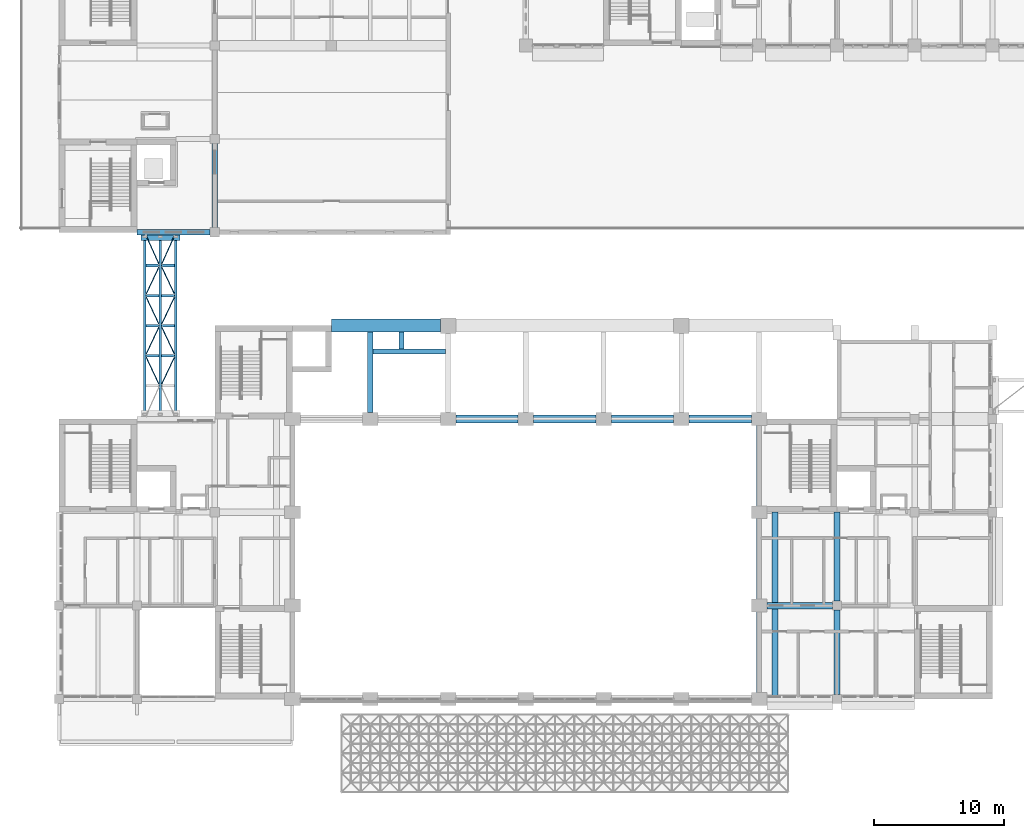
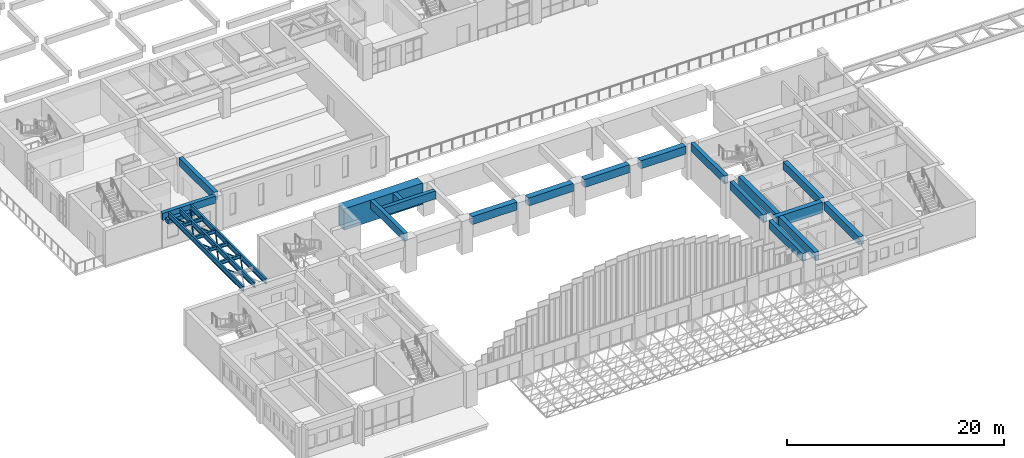
# One storey, part 20 of 103: 30 beams, 10 members.
"""IFC4 building model written with IfcOpenShell, lengths in metres."""

from ifc_helpers import new_model, si_unit, direction, frame, origin, origin_2d, place, context, subcontext, project, spatial, rectangle, hollow_circle, i_section, extrude, material, material_profile, profile_set, type_object, element, save


model = new_model("IFC4")

# Units and contexts
model_context = context("Model", 3, precision=1e-05, world=origin(), true_north=direction((0.0, 1.0)))
body_context = subcontext(model_context, "Body", "Model", "MODEL_VIEW")
ifc_project = project(units=[si_unit("LENGTHUNIT", "METRE"), si_unit("AREAUNIT", "SQUARE_METRE"), si_unit("VOLUMEUNIT", "CUBIC_METRE"), si_unit("PLANEANGLEUNIT", "RADIAN"), si_unit("MASSUNIT", "GRAM", prefix="KILO")], contexts=[model_context])

# Site, building, storey
site_placement = place(None, origin())
site = spatial("IfcSite", under=ifc_project, at=site_placement, CompositionType="ELEMENT")
building_placement = place(site_placement, origin())
building = spatial("IfcBuilding", under=site, at=building_placement, Name="Laocheng Heights Fire and Rescue Headquarters", CompositionType="ELEMENT")
storey_placement = place(building_placement, frame((0.0, 0.0, 4.199951171875)))
storey = spatial("IfcBuildingStorey", under=building, at=storey_placement, Name="L01", CompositionType="ELEMENT", Elevation=4.199951171875)

# Beams
ifc_material_1 = material(Name="Concrete C60", Category="concrete")
ifc_material_profile_1 = material_profile(ifc_material_1, rectangle(XDim=1.0, YDim=2.39990234375, at=origin_2d()), Name="RC BEAM 1000x2400 TRANSFER GIRDER")
ifc_profile_set_1 = profile_set([ifc_material_profile_1], Name="Concrete C60")
beam_type_1 = type_object("IfcBeamType", Name="RC BEAM 1000x2400 TRANSFER GIRDER", PredefinedType="BEAM", material=ifc_profile_set_1)
beam_1_placement = place(storey_placement, frame((21.0, 28.800048828125, 2.550048828125), z_axis=(1.0, 0.0, 0.0), x_axis=(0.0, 1.0, 0.0)))
element("IfcBeam", 1, at=beam_1_placement, inside=storey, type_object=beam_type_1, Name="Transfer girder TG1", PredefinedType="BEAM", context=body_context, shape_type="SweptSolid", body=[
    extrude(rectangle(XDim=1.0, YDim=2.39990234375, at=origin_2d()), origin(), (0.0, 0.0, 1.0), 8.39990234375),
])
ifc_material_2 = material(Name="Concrete C40", Category="concrete")
ifc_material_profile_2 = material_profile(ifc_material_2, rectangle(XDim=0.39990234375, YDim=0.800048828125, at=origin_2d()), Name="RC BEAM 400x800 FOYER")
ifc_profile_set_2 = profile_set([ifc_material_profile_2], Name="Concrete C40")
beam_type_2 = type_object("IfcBeamType", Name="RC BEAM 400x800 FOYER", PredefinedType="BEAM", material=ifc_profile_set_2)
beam_2_placement = place(storey_placement, frame((6.0, 36.0, 3.550048828125), z_axis=(1.0, 0.0, 0.0), x_axis=(0.0, 1.0, 0.0)))
element("IfcBeam", 2, at=beam_2_placement, inside=storey, type_object=beam_type_2, Name="Foyer beam L01", PredefinedType="BEAM", context=body_context, shape_type="SweptSolid", body=[
    extrude(rectangle(XDim=0.39990234375, YDim=0.800048828125, at=origin_2d()), origin(), (0.0, 0.0, 1.0), 5.64990234375),
])
ifc_material_3 = material(Name="Concrete C40", Category="concrete")
ifc_material_profile_3 = material_profile(ifc_material_3, rectangle(XDim=0.39990234375, YDim=0.89990234375, at=origin_2d()), Name="RC BEAM 400x900 FOYER")
ifc_profile_set_3 = profile_set([ifc_material_profile_3], Name="Concrete C40")
beam_type_3 = type_object("IfcBeamType", Name="RC BEAM 400x900 FOYER", PredefinedType="BEAM", material=ifc_profile_set_3)
beam_3_placement = place(storey_placement, frame((12.0, 36.35009765625, 3.5), z_axis=(0.0, 1.0, 0.0), x_axis=(-1.0, 0.0, 0.0)))
element("IfcBeam", 3, at=beam_3_placement, inside=storey, type_object=beam_type_3, Name="Foyer beam L01", PredefinedType="BEAM", context=body_context, shape_type="SweptSolid", body=[
    extrude(rectangle(XDim=0.39990234375, YDim=0.89990234375, at=origin_2d()), origin(), (0.0, 0.0, 1.0), 6.5),
])
ifc_material_4 = material(Name="Concrete C50", Category="concrete")
ifc_material_profile_4 = material_profile(ifc_material_4, rectangle(XDim=0.39990234375, YDim=0.89990234375, at=origin_2d()), Name="RC BEAM 400x900 HALL SPRING BEAM")
ifc_profile_set_4 = profile_set([ifc_material_profile_4], Name="Concrete C50")
beam_type_4 = type_object("IfcBeamType", Name="RC BEAM 400x900 HALL SPRING BEAM", PredefinedType="BEAM", material=ifc_profile_set_4)
for number, where, z_axis, x_axis, name in (
    (4, (54.0, 0.5, 3.640625), (0.0, 1.0, 0.0), (-1.0, 0.0, 0.0), "Spring beam E1"),
    (5, (54.0, 7.699951171875, 3.640625), (0.0, 1.0, 0.0), (-1.0, 0.0, 0.0), "Spring beam E2"),
):
    element("IfcBeam", number, at=place(storey_placement, frame(where, z_axis=z_axis, x_axis=x_axis)), inside=storey, type_object=beam_type_4, Name=name, PredefinedType="BEAM", context=body_context, shape_type="SweptSolid", body=[
        extrude(rectangle(XDim=0.39990234375, YDim=0.89990234375, at=origin_2d()), origin(), (0.0, 0.0, 1.0), 6.199951171875),
    ])
beam_4_placement = place(storey_placement, frame((54.0, 14.89990234375, 3.640625), z_axis=(0.0, 1.0, 0.0), x_axis=(-1.0, 0.0, 0.0)))
element("IfcBeam", 6, at=beam_4_placement, inside=storey, type_object=beam_type_4, Name="Spring beam E3", PredefinedType="BEAM", context=body_context, shape_type="SweptSolid", body=[
    extrude(rectangle(XDim=0.39990234375, YDim=0.89990234375, at=origin_2d()), origin(), (0.0, 0.0, 1.0), 6.2001953125),
])
ifc_material_5 = material(Name="Concrete C40", Category="concrete")
ifc_material_profile_5 = material_profile(ifc_material_5, rectangle(XDim=0.39990234375, YDim=0.89990234375, at=origin_2d()), Name="RC BEAM 400x900 RISER TRIMMER")
ifc_profile_set_5 = profile_set([ifc_material_profile_5], Name="Concrete C40")
beam_type_5 = type_object("IfcBeamType", Name="RC BEAM 400x900 RISER TRIMMER", PredefinedType="BEAM", material=ifc_profile_set_5)
beam_5_placement = place(storey_placement, frame((24.199951171875, 26.800048828125, 3.300048828125), z_axis=(1.0, 0.0, 0.0), x_axis=(0.0, 1.0, 0.0)))
element("IfcBeam", 7, at=beam_5_placement, inside=storey, type_object=beam_type_5, Name="Riser RG1 trimmer beam south", PredefinedType="BEAM", context=body_context, shape_type="SweptSolid", body=[
    extrude(rectangle(XDim=0.39990234375, YDim=0.89990234375, at=origin_2d()), origin(), (0.0, 0.0, 1.0), 5.60009765625),
])
beam_6_placement = place(storey_placement, frame((26.39990234375, 27.0, 3.300048828125), z_axis=(0.0, 1.0, 0.0), x_axis=(-1.0, 0.0, 0.0)))
element("IfcBeam", 8, at=beam_6_placement, inside=storey, type_object=beam_type_5, Name="Riser RG1 trimmer beam east", PredefinedType="BEAM", context=body_context, shape_type="SweptSolid", body=[
    extrude(rectangle(XDim=0.39990234375, YDim=0.89990234375, at=origin_2d()), origin(), (0.0, 0.0, 1.0), 1.300048828125),
])
ifc_material_6 = material(Name="Concrete C50", Category="concrete")
ifc_material_profile_6 = material_profile(ifc_material_6, rectangle(XDim=0.39990234375, YDim=0.89990234375, at=origin_2d()), Name="RC BEAM 400x900 TRANSFER SECONDARY")
ifc_profile_set_6 = profile_set([ifc_material_profile_6], Name="Concrete C50")
beam_type_6 = type_object("IfcBeamType", Name="RC BEAM 400x900 TRANSFER SECONDARY", PredefinedType="BEAM", material=ifc_profile_set_6)
beam_7_placement = place(storey_placement, frame((24.0, 22.10009765625, 3.300048828125), z_axis=(0.0, 1.0, 0.0), x_axis=(-1.0, 0.0, 0.0)))
element("IfcBeam", 9, at=beam_7_placement, inside=storey, type_object=beam_type_6, Name="Transfer secondary beam", PredefinedType="BEAM", context=body_context, shape_type="SweptSolid", body=[
    extrude(rectangle(XDim=0.39990234375, YDim=0.89990234375, at=origin_2d()), origin(), (0.0, 0.0, 1.0), 6.199951171875),
])
ifc_material_7 = material(Name="Concrete C40", Category="concrete")
ifc_material_profile_7 = material_profile(ifc_material_7, rectangle(XDim=0.449951171875, YDim=0.89990234375, at=origin_2d()), Name="RC BEAM 450x900 PAVILION FLOOR")
ifc_profile_set_7 = profile_set([ifc_material_profile_7], Name="Concrete C40")
beam_type_7 = type_object("IfcBeamType", Name="RC BEAM 450x900 PAVILION FLOOR", PredefinedType="BEAM", material=ifc_profile_set_7)
beam_8_placement = place(storey_placement, frame((55.22509765625, 0.25, 3.5), z_axis=(0.0, 1.0, 0.0), x_axis=(-1.0, 0.0, 0.0)))
element("IfcBeam", 10, at=beam_8_placement, inside=storey, type_object=beam_type_7, Name="Pavilion spandrel beam", PredefinedType="BEAM", context=body_context, shape_type="SweptSolid", body=[
    extrude(rectangle(XDim=0.449951171875, YDim=0.89990234375, at=origin_2d()), origin(), (0.0, 0.0, 1.0), 6.699951171875),
])
beam_9_placement = place(storey_placement, frame((55.22509765625, 7.449951171875, 3.5), z_axis=(0.0, 1.0, 0.0), x_axis=(-1.0, 0.0, 0.0)))
element("IfcBeam", 11, at=beam_9_placement, inside=storey, type_object=beam_type_7, Name="Pavilion spandrel beam", PredefinedType="BEAM", context=body_context, shape_type="SweptSolid", body=[
    extrude(rectangle(XDim=0.449951171875, YDim=0.89990234375, at=origin_2d()), origin(), (0.0, 0.0, 1.0), 6.949951171875),
])
beam_10_placement = place(storey_placement, frame((60.0, 0.35009765625, 3.5), z_axis=(0.0, 1.0, 0.0), x_axis=(-1.0, 0.0, 0.0)))
element("IfcBeam", 12, at=beam_10_placement, inside=storey, type_object=beam_type_7, Name="Pavilion beam", PredefinedType="BEAM", context=body_context, shape_type="SweptSolid", body=[
    extrude(rectangle(XDim=0.449951171875, YDim=0.89990234375, at=origin_2d()), origin(), (0.0, 0.0, 1.0), 6.5),
])
beam_11_placement = place(storey_placement, frame((60.0, 7.550048828125, 3.5), z_axis=(0.0, 1.0, 0.0), x_axis=(-1.0, 0.0, 0.0)))
element("IfcBeam", 13, at=beam_11_placement, inside=storey, type_object=beam_type_7, Name="Pavilion beam", PredefinedType="BEAM", context=body_context, shape_type="SweptSolid", body=[
    extrude(rectangle(XDim=0.449951171875, YDim=0.89990234375, at=origin_2d()), origin(), (0.0, 0.0, 1.0), 6.849853515625),
])
ifc_material_8 = material(Name="Concrete C50", Category="concrete")
ifc_material_profile_8 = material_profile(ifc_material_8, rectangle(XDim=0.5, YDim=1.199951171875, at=origin_2d()), Name="RC BEAM 500x1200 PAVILION TRANSFER")
ifc_profile_set_8 = profile_set([ifc_material_profile_8], Name="Concrete C50")
beam_type_8 = type_object("IfcBeamType", Name="RC BEAM 500x1200 PAVILION TRANSFER", PredefinedType="BEAM", material=ifc_profile_set_8)
beam_12_placement = place(storey_placement, frame((54.60009765625, 7.199951171875, 3.35009765625), z_axis=(1.0, 0.0, 0.0), x_axis=(0.0, 1.0, 0.0)))
element("IfcBeam", 14, at=beam_12_placement, inside=storey, type_object=beam_type_8, Name="Pavilion beam", PredefinedType="BEAM", context=body_context, shape_type="SweptSolid", body=[
    extrude(rectangle(XDim=0.5, YDim=1.199951171875, at=origin_2d()), origin(), (0.0, 0.0, 1.0), 5.0498046875),
])
ifc_material_9 = material(Name="Concrete C50", Category="concrete")
ifc_material_profile_9 = material_profile(ifc_material_9, rectangle(XDim=0.60009765625, YDim=0.89990234375, at=origin_2d()), Name="RC BEAM 600x900 GABLE SPRING BEAM")
ifc_profile_set_9 = profile_set([ifc_material_profile_9], Name="Concrete C50")
beam_type_9 = type_object("IfcBeamType", Name="RC BEAM 600x900 GABLE SPRING BEAM", PredefinedType="BEAM", material=ifc_profile_set_9)
for number, where, z_axis, x_axis, name in (
    (15, (30.60009765625, 21.60009765625, 3.300048828125), (1.0, 0.0, 0.0), (0.0, 1.0, 0.0), "Gable spring beam N3"),
    (16, (36.60009765625, 21.60009765625, 3.300048828125), (1.0, 0.0, 0.0), (0.0, 1.0, 0.0), "Gable spring beam N4"),
    (17, (42.60009765625, 21.60009765625, 3.300048828125), (1.0, 0.0, 0.0), (0.0, 1.0, 0.0), "Gable spring beam N5"),
    (18, (48.60009765625, 21.60009765625, 3.300048828125), (1.0, 0.0, 0.0), (0.0, 1.0, 0.0), "Gable spring beam N6"),
):
    element("IfcBeam", number, at=place(storey_placement, frame(where, z_axis=z_axis, x_axis=x_axis)), inside=storey, type_object=beam_type_9, Name=name, PredefinedType="BEAM", context=body_context, shape_type="SweptSolid", body=[
        extrude(rectangle(XDim=0.60009765625, YDim=0.89990234375, at=origin_2d()), origin(), (0.0, 0.0, 1.0), 4.7998046875),
    ])
ifc_material_10 = material(Name="Concrete C40", Category="concrete")
ifc_material_profile_10 = material_profile(ifc_material_10, rectangle(XDim=0.449951171875, YDim=0.449951171875, at=origin_2d()), Name="RC CORBEL 450x450 BRIDGE SEAT")
ifc_profile_set_10 = profile_set([ifc_material_profile_10], Name="Concrete C40")
beam_type_10 = type_object("IfcBeamType", Name="RC CORBEL 450x450 BRIDGE SEAT", PredefinedType="BEAM", material=ifc_profile_set_10)
beam_13_placement = place(storey_placement, frame((6.300048828125, 35.574951171875, 3.1552734375), z_axis=(1.0, 0.0, 0.0), x_axis=(0.0, 1.0, 0.0)))
element("IfcBeam", 19, at=beam_13_placement, inside=storey, type_object=beam_type_10, Name="Bridge B1 corbel", PredefinedType="BEAM", context=body_context, shape_type="SweptSolid", body=[
    extrude(rectangle(XDim=0.449951171875, YDim=0.449951171875, at=origin_2d()), origin(), (0.0, 0.0, 1.0), 3.0),
])
ifc_material_11 = material(Name="Steel Q355B", Category="steel")
ifc_material_profile_11 = material_profile(ifc_material_11, i_section(OverallWidth=0.199951171875, OverallDepth=0.60009765625, WebThickness=0.010986328125, FlangeThickness=0.01708984375, at=origin_2d()), Name="HN 600x200x11x17")
ifc_profile_set_11 = profile_set([ifc_material_profile_11], Name="Steel Q355B")
beam_type_11 = type_object("IfcBeamType", Name="STEEL BRIDGE GIRDER HN 600x200x11x17", PredefinedType="BEAM", material=ifc_profile_set_11)
for number, where, z_axis, x_axis, name in (
    (20, (6.60009765625, 21.85009765625, 3.699951171875), (0.0, 1.0, 0.0), (-1.0, 0.0, 0.0), "Bridge B1 girder"),
    (21, (7.800048828125, 21.85009765625, 3.699951171875), (0.0, 1.0, 0.0), (-1.0, 0.0, 0.0), "Bridge B1 girder"),
    (22, (9.0, 21.85009765625, 3.699951171875), (0.0, 1.0, 0.0), (-1.0, 0.0, 0.0), "Bridge B1 girder"),
):
    element("IfcBeam", number, at=place(storey_placement, frame(where, z_axis=z_axis, x_axis=x_axis)), inside=storey, type_object=beam_type_11, Name=name, PredefinedType="BEAM", context=body_context, shape_type="SweptSolid", body=[
        extrude(i_section(OverallWidth=0.199951171875, OverallDepth=0.60009765625, WebThickness=0.010986328125, FlangeThickness=0.01708984375, at=origin_2d()), origin(), (0.0, 0.0, 1.0), 13.89990234375),
    ])

# Members
ifc_material_12 = material(Name="Steel Q355B", Category="steel")
ifc_material_profile_12 = material_profile(ifc_material_12, hollow_circle(Radius=0.04443359375, WallThickness=0.0048828125, at=origin_2d()), Name="CHS 88.9x5")
ifc_profile_set_12 = profile_set([ifc_material_profile_12], Name="Steel Q355B")
member_type = type_object("IfcMemberType", Name="STEEL BRIDGE PLAN BRACE CHS 88.9x5", PredefinedType="BRACE", material=ifc_profile_set_12)
for number, where, z_axis, x_axis, name in (
    (23, (7.699951171875, 24.2666015625, 3.4443359375), (-0.427162631959, 0.904174809347, 0.0), (-0.904174809347, -0.427162631959, 0.0), "Bridge B1 plan bracing"),
    (24, (6.699951171875, 26.583251953125, 3.4443359375), (0.427162631959, 0.904174809347, 0.0), (-0.904174809347, 0.427162631959, 0.0), "Bridge B1 plan bracing"),
    (25, (7.699951171875, 28.89990234375, 3.4443359375), (-0.427162631959, 0.904174809347, 0.0), (-0.904174809347, -0.427162631959, 0.0), "Bridge B1 plan bracing"),
):
    element("IfcMember", number, at=place(storey_placement, frame(where, z_axis=z_axis, x_axis=x_axis)), inside=storey, type_object=member_type, Name=name, PredefinedType="BRACE", context=body_context, shape_type="SweptSolid", body=[
        extrude(hollow_circle(Radius=0.04443359375, WallThickness=0.0048828125, at=origin_2d()), origin(), (0.0, 0.0, 1.0), 2.341064453125),
    ])
member_1_placement = place(storey_placement, frame((6.699951171875, 31.216796875, 3.4443359375), z_axis=(0.42720291436, 0.904155777487, 0.0), x_axis=(-0.904155777487, 0.42720291436, 0.0)))
element("IfcMember", 26, at=member_1_placement, inside=storey, type_object=member_type, Name="Bridge B1 plan bracing", PredefinedType="BRACE", context=body_context, shape_type="SweptSolid", body=[
    extrude(hollow_circle(Radius=0.04443359375, WallThickness=0.0048828125, at=origin_2d()), origin(), (0.0, 0.0, 1.0), 2.3408203125),
])
member_2_placement = place(storey_placement, frame((7.699951171875, 33.533203125, 3.4443359375), z_axis=(-0.411199353323, 0.911545441449, 0.0), x_axis=(-0.911545441449, -0.411199353323, 0.0)))
element("IfcMember", 27, at=member_2_placement, inside=storey, type_object=member_type, Name="Bridge B1 plan bracing", PredefinedType="BRACE", context=body_context, shape_type="SweptSolid", body=[
    extrude(hollow_circle(Radius=0.04443359375, WallThickness=0.0048828125, at=origin_2d()), origin(), (0.0, 0.0, 1.0), 2.431884765625),
])
for number, where, z_axis, x_axis, name in (
    (28, (7.89990234375, 24.2666015625, 3.4443359375), (0.427162631959, 0.904174809347, 0.0), (-0.904174809347, 0.427162631959, 0.0), "Bridge B1 plan bracing"),
    (29, (8.89990234375, 26.583251953125, 3.4443359375), (-0.427162631959, 0.904174809347, 0.0), (-0.904174809347, -0.427162631959, 0.0), "Bridge B1 plan bracing"),
    (30, (7.89990234375, 28.89990234375, 3.4443359375), (0.427162631959, 0.904174809347, 0.0), (-0.904174809347, 0.427162631959, 0.0), "Bridge B1 plan bracing"),
):
    element("IfcMember", number, at=place(storey_placement, frame(where, z_axis=z_axis, x_axis=x_axis)), inside=storey, type_object=member_type, Name=name, PredefinedType="BRACE", context=body_context, shape_type="SweptSolid", body=[
        extrude(hollow_circle(Radius=0.04443359375, WallThickness=0.0048828125, at=origin_2d()), origin(), (0.0, 0.0, 1.0), 2.341064453125),
    ])
member_3_placement = place(storey_placement, frame((8.89990234375, 31.216796875, 3.4443359375), z_axis=(-0.42720291436, 0.904155777487, 0.0), x_axis=(-0.904155777487, -0.42720291436, 0.0)))
element("IfcMember", 31, at=member_3_placement, inside=storey, type_object=member_type, Name="Bridge B1 plan bracing", PredefinedType="BRACE", context=body_context, shape_type="SweptSolid", body=[
    extrude(hollow_circle(Radius=0.04443359375, WallThickness=0.0048828125, at=origin_2d()), origin(), (0.0, 0.0, 1.0), 2.3408203125),
])
member_4_placement = place(storey_placement, frame((7.89990234375, 33.533203125, 3.4443359375), z_axis=(0.411199353323, 0.911545441449, 0.0), x_axis=(-0.911545441449, 0.411199353323, 0.0)))
element("IfcMember", 32, at=member_4_placement, inside=storey, type_object=member_type, Name="Bridge B1 plan bracing", PredefinedType="BRACE", context=body_context, shape_type="SweptSolid", body=[
    extrude(hollow_circle(Radius=0.04443359375, WallThickness=0.0048828125, at=origin_2d()), origin(), (0.0, 0.0, 1.0), 2.431884765625),
])

# Beams
ifc_material_13 = material(Name="Steel Q355B", Category="steel")
ifc_material_profile_13 = material_profile(ifc_material_13, i_section(OverallWidth=0.199951171875, OverallDepth=0.39990234375, WebThickness=0.008056640625, FlangeThickness=0.012939453125, at=origin_2d()), Name="HN 400x200x8x13")
ifc_profile_set_13 = profile_set([ifc_material_profile_13], Name="Steel Q355B")
beam_type_12 = type_object("IfcBeamType", Name="STEEL BRIDGE TYING BEAM HN 400x200x8x13", PredefinedType="BEAM", material=ifc_profile_set_13)
for number, where, z_axis, x_axis, name in (
    (33, (6.699951171875, 26.4833984375, 3.800048828125), (1.0, 0.0, 0.0), (0.0, 1.0, 0.0), "Bridge B1 cross beam"),
    (34, (6.699951171875, 28.800048828125, 3.800048828125), (1.0, 0.0, 0.0), (0.0, 1.0, 0.0), "Bridge B1 cross beam"),
    (35, (6.699951171875, 31.11669921875, 3.800048828125), (1.0, 0.0, 0.0), (0.0, 1.0, 0.0), "Bridge B1 cross beam"),
    (36, (6.699951171875, 33.433349609375, 3.800048828125), (1.0, 0.0, 0.0), (0.0, 1.0, 0.0), "Bridge B1 cross beam"),
    (37, (7.89990234375, 26.4833984375, 3.800048828125), (1.0, 0.0, 0.0), (0.0, 1.0, 0.0), "Bridge B1 cross beam"),
    (38, (7.89990234375, 28.800048828125, 3.800048828125), (1.0, 0.0, 0.0), (0.0, 1.0, 0.0), "Bridge B1 cross beam"),
    (39, (7.89990234375, 31.11669921875, 3.800048828125), (1.0, 0.0, 0.0), (0.0, 1.0, 0.0), "Bridge B1 cross beam"),
    (40, (7.89990234375, 33.433349609375, 3.800048828125), (1.0, 0.0, 0.0), (0.0, 1.0, 0.0), "Bridge B1 cross beam"),
):
    element("IfcBeam", number, at=place(storey_placement, frame(where, z_axis=z_axis, x_axis=x_axis)), inside=storey, type_object=beam_type_12, Name=name, PredefinedType="BEAM", context=body_context, shape_type="SweptSolid", body=[
        extrude(i_section(OverallWidth=0.199951171875, OverallDepth=0.39990234375, WebThickness=0.008056640625, FlangeThickness=0.012939453125, at=origin_2d()), origin(), (0.0, 0.0, 1.0), 1.0),
    ])

save(model, "model.ifc")
